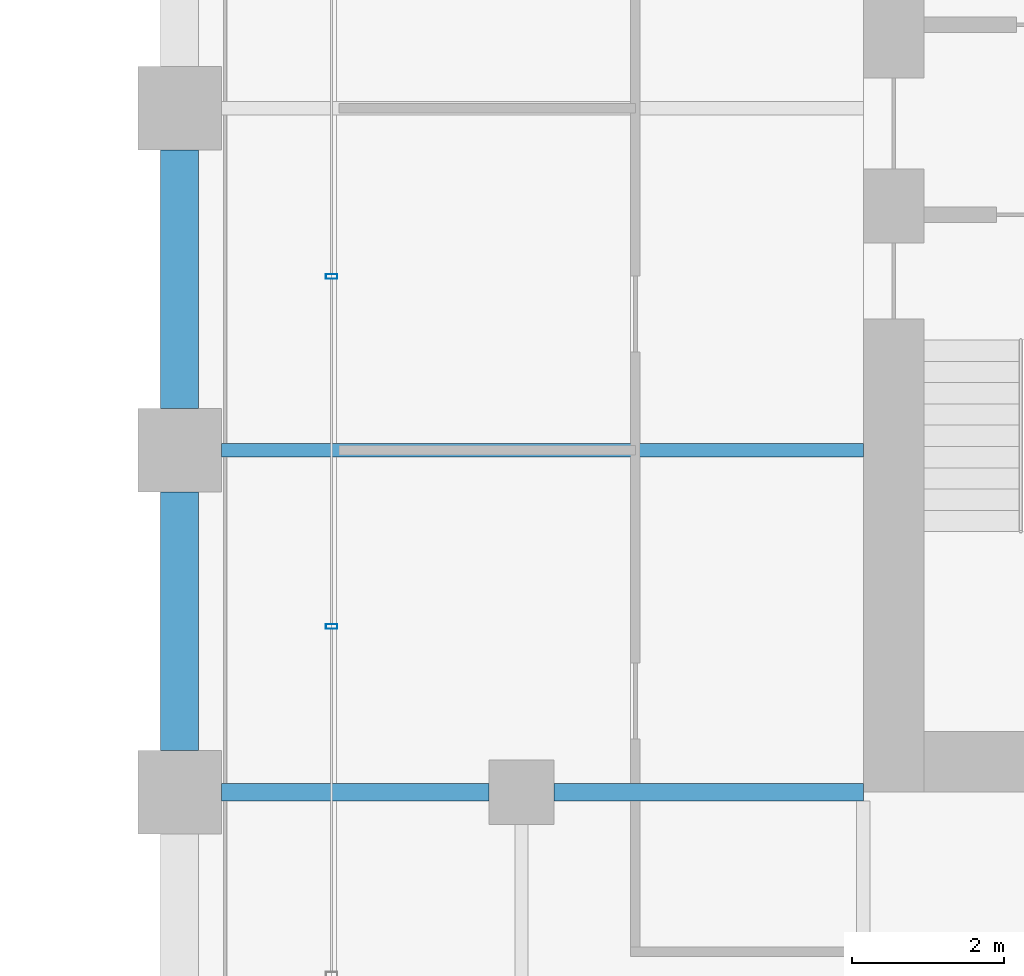
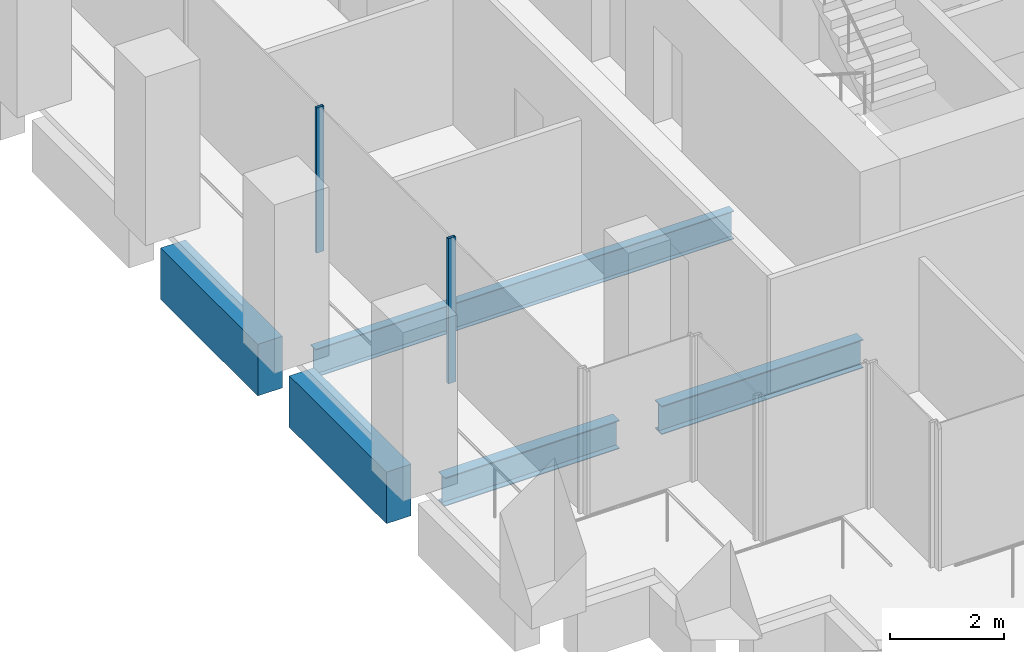
# One storey, part 36 of 56: 5 beams, 2 members, 1 element without a shape of its own.
"""IFC4 building model written with IfcOpenShell, lengths in metres."""

from ifc_helpers import new_model, si_unit, direction, frame, origin, origin_2d, place, context, subcontext, project, spatial, rectangle, hollow_rectangle, i_section, extrude, material, material_profile, profile_set, type_object, element, aggregate, save


model = new_model("IFC4")

# Units and contexts
model_context = context("Model", 3, precision=1e-05, world=origin(), true_north=direction((0.0, 1.0)))
body_context = subcontext(model_context, "Body", "Model", "MODEL_VIEW")
ifc_project = project(units=[si_unit("LENGTHUNIT", "METRE"), si_unit("AREAUNIT", "SQUARE_METRE"), si_unit("VOLUMEUNIT", "CUBIC_METRE"), si_unit("PLANEANGLEUNIT", "RADIAN"), si_unit("MASSUNIT", "GRAM", prefix="KILO")], contexts=[model_context])

# Site, building, storey
site_placement = place(None, origin())
site = spatial("IfcSite", under=ifc_project, at=site_placement, CompositionType="ELEMENT")
building_placement = place(site_placement, origin())
building = spatial("IfcBuilding", under=site, at=building_placement, Name="Altepetl Exchange Towers", CompositionType="ELEMENT")
storey_placement = place(building_placement, frame((0.0, 0.0, 76.199951171875)))
storey = spatial("IfcBuildingStorey", under=building, at=storey_placement, Name="L18", CompositionType="ELEMENT", Elevation=76.199951171875)

# Beams
ifc_material_1 = material(Name="Steel S355", Category="steel")
ifc_material_profile_1 = material_profile(ifc_material_1, i_section(OverallWidth=0.177978515625, OverallDepth=0.59912109375, WebThickness=0.010009765625, FlangeThickness=0.0126953125, at=origin_2d()), Name="W24X55")
ifc_profile_set_1 = profile_set([ifc_material_profile_1], Name="Steel S355")
beam_type_1 = type_object("IfcBeamType", Name="Floor beam W24X55", PredefinedType="BEAM", material=ifc_profile_set_1)
beam_1_placement = place(storey_placement, frame((95.050048828125, 40.5, -0.449462890625), z_axis=(1.0, 0.0, 0.0), x_axis=(0.0, 1.0, 0.0)))
element("IfcBeam", 1, at=beam_1_placement, inside=storey, type_object=beam_type_1, Name="bm:B:L18:012", PredefinedType="BEAM", context=body_context, shape_type="SweptSolid", body=[
    extrude(i_section(OverallWidth=0.177978515625, OverallDepth=0.59912109375, WebThickness=0.010009765625, FlangeThickness=0.0126953125, at=origin_2d()), origin(), (0.0, 0.0, 1.0), 8.449951171875),
])
ifc_material_profile_2 = material_profile(ifc_material_1, i_section(OverallWidth=0.22802734375, OverallDepth=0.60791015625, WebThickness=0.01123046875, FlangeThickness=0.017333984375, at=origin_2d()), Name="W24X76")
ifc_profile_set_2 = profile_set([ifc_material_profile_2], Name="Steel S355")
beam_type_2 = type_object("IfcBeamType", Name="Girder W24X76", PredefinedType="BEAM", material=ifc_profile_set_2)
beam_2_placement = place(storey_placement, frame((103.5, 36.0, -0.453857421875), z_axis=(-1.0, 0.0, 0.0), x_axis=(0.0, -1.0, 0.0)))
element("IfcBeam", 2, at=beam_2_placement, inside=storey, type_object=beam_type_2, Name="gd:B:L18:006", PredefinedType="BEAM", context=body_context, shape_type="SweptSolid", body=[
    extrude(i_section(OverallWidth=0.22802734375, OverallDepth=0.60791015625, WebThickness=0.01123046875, FlangeThickness=0.017333984375, at=origin_2d()), origin(), (0.0, 0.0, 1.0), 4.074951171875),
])
beam_3_placement = place(storey_placement, frame((98.574951171875, 36.0, -0.453857421875), z_axis=(-1.0, 0.0, 0.0), x_axis=(0.0, -1.0, 0.0)))
element("IfcBeam", 3, at=beam_3_placement, inside=storey, type_object=beam_type_2, Name="gd:B:L18:007", PredefinedType="BEAM", context=body_context, shape_type="SweptSolid", body=[
    extrude(i_section(OverallWidth=0.22802734375, OverallDepth=0.60791015625, WebThickness=0.01123046875, FlangeThickness=0.017333984375, at=origin_2d()), origin(), (0.0, 0.0, 1.0), 3.52490234375),
])

# Curtain wall, members
ifc_material_2 = material(Name="Aluminium 6063-T6 glazing", Category="aluminium")
curtain_wall_type = type_object("IfcCurtainWallType", Name="Loggia glazing system", PredefinedType="NOTDEFINED", material=ifc_material_2)
curtain_wall_placement = place(storey_placement, origin())
curtain_wall = element("IfcCurtainWall", 4, at=curtain_wall_placement, inside=storey, type_object=curtain_wall_type, Name="CW1 run", PredefinedType="NOTDEFINED")
ifc_material_3 = material(Name="Aluminium 6063-T6", Category="aluminium")
ifc_material_profile_3 = material_profile(ifc_material_3, hollow_rectangle(XDim=0.06005859375, YDim=0.14990234375, WallThickness=0.0029296875, at=origin_2d()), Name="Mullion 60x150 aluminium")
ifc_profile_set_3 = profile_set([ifc_material_profile_3], Name="Aluminium 6063-T6")
member_type = type_object("IfcMemberType", Name="Mullion 60x150 aluminium", PredefinedType="MULLION", material=ifc_profile_set_3)
member_1_placement = place(storey_placement, frame((96.5, 42.78759765625, 0.0), z_axis=(0.0, 0.0, 1.0), x_axis=(0.0, -1.0, 0.0)))
member_1 = element("IfcMember", 5, at=member_1_placement, type_object=member_type, Name="MU1 mullion", PredefinedType="MULLION", context=body_context, shape_type="SweptSolid", body=[
    extrude(hollow_rectangle(XDim=0.06005859375, YDim=0.14990234375, WallThickness=0.0029296875, at=origin_2d()), origin(), (0.0, 0.0, 1.0), 3.10009765625),
])
member_2_placement = place(storey_placement, frame((96.5, 38.18115234375, 0.0), z_axis=(0.0, 0.0, 1.0), x_axis=(0.0, -1.0, 0.0)))
member_2 = element("IfcMember", 6, at=member_2_placement, type_object=member_type, Name="MU1 mullion", PredefinedType="MULLION", context=body_context, shape_type="SweptSolid", body=[
    extrude(hollow_rectangle(XDim=0.06005859375, YDim=0.14990234375, WallThickness=0.0029296875, at=origin_2d()), origin(), (0.0, 0.0, 1.0), 3.10009765625),
])
aggregate(curtain_wall, [member_1, member_2])

# Beams
ifc_material_4 = material(Name="Concrete C50/60 precast with cantera rosa facing", Category="concrete")
ifc_material_profile_4 = material_profile(ifc_material_4, rectangle(XDim=0.5, YDim=1.10009765625, at=origin_2d()), Name="500 x 1100")
ifc_profile_set_4 = profile_set([ifc_material_profile_4], Name="Concrete C50/60 precast with cantera rosa facing")
beam_type_3 = type_object("IfcBeamType", Name="Spandrel beam 500x1100 cantera rosa", PredefinedType="SPANDREL", material=ifc_profile_set_4)
for number, where, z_axis, x_axis, name in (
    (7, (94.5, 44.449951171875, -0.699951171875), (0.0, -1.0, 0.0), (1.0, 0.0, 0.0), "sp:B:L18:029"),
    (8, (94.5, 39.949951171875, -0.699951171875), (0.0, -1.0, 0.0), (1.0, 0.0, 0.0), "sp:B:L18:030"),
):
    element("IfcBeam", number, at=place(storey_placement, frame(where, z_axis=z_axis, x_axis=x_axis)), inside=storey, type_object=beam_type_3, Name=name, PredefinedType="SPANDREL", context=body_context, shape_type="SweptSolid", body=[
        extrude(rectangle(XDim=0.5, YDim=1.10009765625, at=origin_2d()), origin(), (0.0, 0.0, 1.0), 3.39990234375),
    ])

save(model, "model.ifc")
